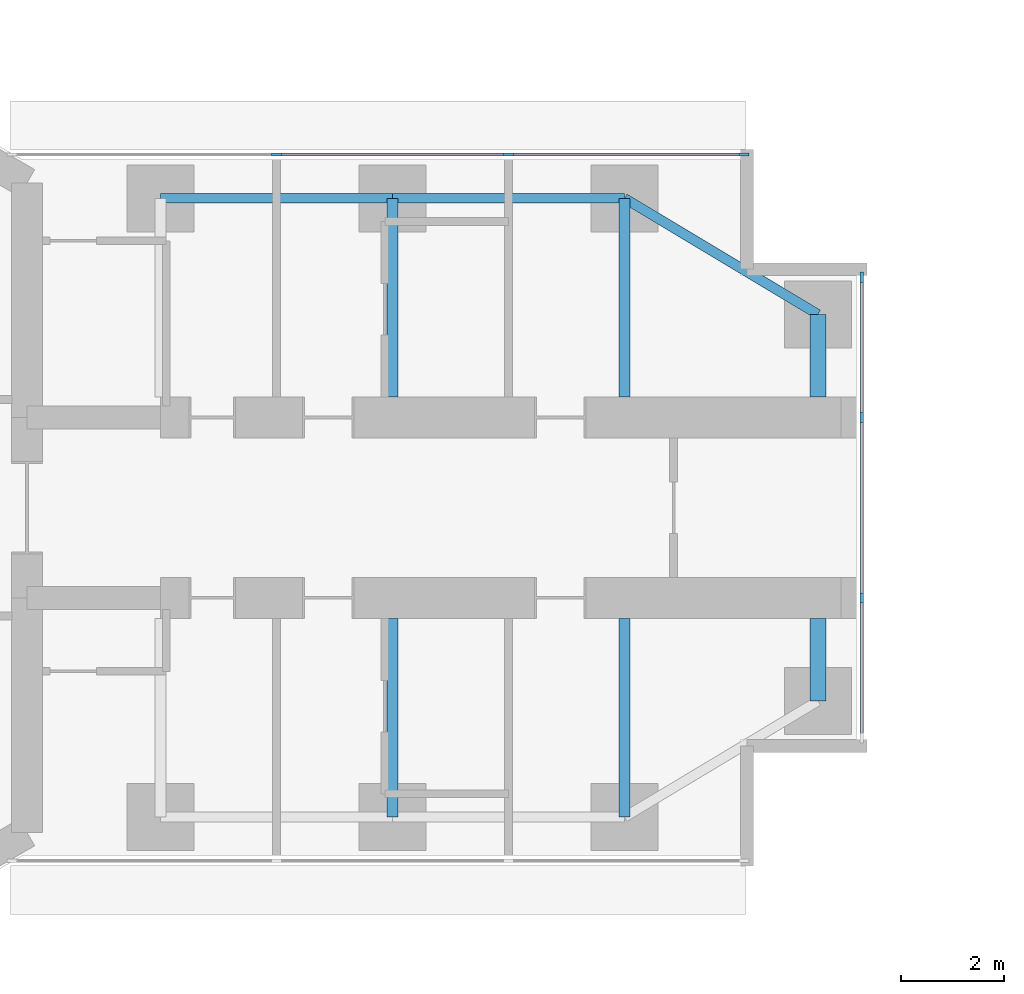
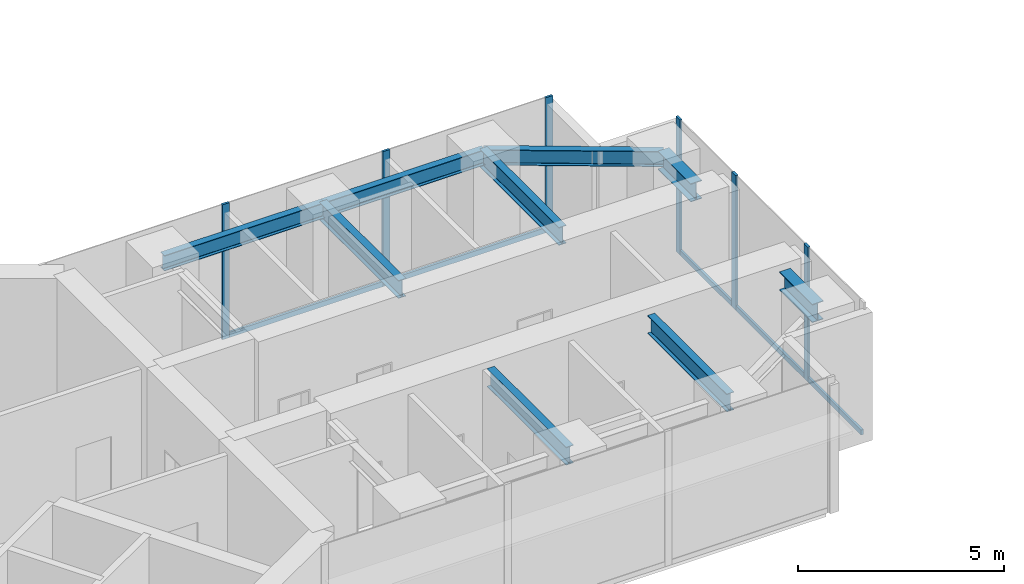
# One storey, part 7 of 22: 11 members, 9 beams, 2 elements without a shape of their own.
"""IFC4 building model written with IfcOpenShell, lengths in metres."""

from ifc_helpers import new_model, si_unit, direction, frame, origin, origin_2d, place, context, subcontext, project, spatial, rectangle, i_section, extrude, material, material_profile, profile_set, type_object, element, aggregate, save


model = new_model("IFC4")

# Units and contexts
model_context = context("Model", 3, precision=1e-05, world=origin(), true_north=direction((0.0, 1.0)))
body_context = subcontext(model_context, "Body", "Model", "MODEL_VIEW")
ifc_project = project(units=[si_unit("LENGTHUNIT", "METRE"), si_unit("AREAUNIT", "SQUARE_METRE"), si_unit("VOLUMEUNIT", "CUBIC_METRE"), si_unit("PLANEANGLEUNIT", "RADIAN"), si_unit("MASSUNIT", "GRAM", prefix="KILO")], contexts=[model_context])

# Site, building, storey
site_placement = place(None, origin())
site = spatial("IfcSite", under=ifc_project, at=site_placement, CompositionType="ELEMENT")
building_placement = place(site_placement, origin())
building = spatial("IfcBuilding", under=site, at=building_placement, Name="Upepo Twin Towers", CompositionType="ELEMENT")
storey_placement = place(building_placement, frame((0.0, 0.0, 141.5)))
storey = spatial("IfcBuildingStorey", under=building, at=storey_placement, Name="L34", CompositionType="ELEMENT", Elevation=141.5)

# Beams
ifc_material_1 = material(Name="Steel S355", Category="steel")
ifc_material_profile_1 = material_profile(ifc_material_1, i_section(OverallWidth=0.1904296875, OverallDepth=0.45703125, WebThickness=0.009033203125, FlangeThickness=0.014404296875, FilletRadius=0.01025390625, at=origin_2d()), Name="UB 457x191x74")
ifc_profile_set_1 = profile_set([ifc_material_profile_1], Name="Steel S355")
beam_type_1 = type_object("IfcBeamType", Name="Beam UB 457x191x74", PredefinedType="BEAM", material=ifc_profile_set_1)
for number, where, z_axis, x_axis, name in (
    (1, (13.5, 6.0, 3.571533203125), (1.0, 0.0, 0.0), (0.0, 1.0, 0.0), "T1 edge beam AL 13.5-18.0"),
    (2, (18.0, 6.0, 3.571533203125), (1.0, 0.0, 0.0), (0.0, 1.0, 0.0), "T1 edge beam AL 18.0-22.5"),
):
    element("IfcBeam", number, at=place(storey_placement, frame(where, z_axis=z_axis, x_axis=x_axis)), inside=storey, type_object=beam_type_1, Name=name, PredefinedType="BEAM", context=body_context, shape_type="SweptSolid", body=[
        extrude(i_section(OverallWidth=0.1904296875, OverallDepth=0.45703125, WebThickness=0.009033203125, FlangeThickness=0.014404296875, FilletRadius=0.01025390625, at=origin_2d()), origin(), (0.0, 0.0, 1.0), 4.5),
    ])
beam_placement = place(storey_placement, frame((22.5, 6.0, 3.571533203125), z_axis=(0.857492925713, -0.514495755428, 0.0), x_axis=(0.514495755428, 0.857492925713, 0.0)))
element("IfcBeam", 3, at=beam_placement, inside=storey, type_object=beam_type_1, Name="T1 nose edge beam AL", PredefinedType="BEAM", context=body_context, shape_type="SweptSolid", body=[
    extrude(i_section(OverallWidth=0.1904296875, OverallDepth=0.45703125, WebThickness=0.009033203125, FlangeThickness=0.014404296875, FilletRadius=0.01025390625, at=origin_2d()), origin(), (0.0, 0.0, 1.0), 4.373291015625),
])
ifc_material_2 = material(Name="Steel S355", Category="steel")
ifc_material_profile_2 = material_profile(ifc_material_2, i_section(OverallWidth=0.209228515625, OverallDepth=0.533203125, WebThickness=0.010009765625, FlangeThickness=0.015625, FilletRadius=0.0126953125, at=origin_2d()), Name="UB 533x210x92")
ifc_profile_set_2 = profile_set([ifc_material_profile_2], Name="Steel S355")
beam_type_2 = type_object("IfcBeamType", Name="Beam UB 533x210x92", PredefinedType="BEAM", material=ifc_profile_set_2)
for number, where, z_axis, x_axis, name in (
    (4, (18.0, 6.0, 3.533447265625), (0.0, -1.0, 0.0), (1.0, 0.0, 0.0), "T1 girder AL at 18.0"),
    (5, (22.5, 6.0, 3.533447265625), (0.0, -1.0, 0.0), (1.0, 0.0, 0.0), "T1 girder AL at 22.5"),
    (6, (18.0, -6.0, 3.533447265625), (0.0, 1.0, 0.0), (-1.0, 0.0, 0.0), "T1 girder AR at 18.0"),
    (7, (22.5, -6.0, 3.533447265625), (0.0, 1.0, 0.0), (-1.0, 0.0, 0.0), "T1 girder AR at 22.5"),
):
    element("IfcBeam", number, at=place(storey_placement, frame(where, z_axis=z_axis, x_axis=x_axis)), inside=storey, type_object=beam_type_2, Name=name, PredefinedType="BEAM", context=body_context, shape_type="SweptSolid", body=[
        extrude(i_section(OverallWidth=0.209228515625, OverallDepth=0.533203125, WebThickness=0.010009765625, FlangeThickness=0.015625, FilletRadius=0.0126953125, at=origin_2d()), origin(), (0.0, 0.0, 1.0), 3.85009765625),
    ])
ifc_material_3 = material(Name="Steel S355", Category="steel")
ifc_material_profile_3 = material_profile(ifc_material_3, i_section(OverallWidth=0.31201171875, OverallDepth=0.54345703125, WebThickness=0.0126953125, FlangeThickness=0.020263671875, FilletRadius=0.0126953125, at=origin_2d()), Name="UB 533x312x150")
ifc_profile_set_3 = profile_set([ifc_material_profile_3], Name="Steel S355")
beam_type_3 = type_object("IfcBeamType", Name="Beam UB 533x312x150", PredefinedType="BEAM", material=ifc_profile_set_3)
for number, where, z_axis, x_axis, name in (
    (8, (26.25, 3.75, 3.5283203125), (0.0, -1.0, 0.0), (1.0, 0.0, 0.0), "T1 nose beam AL"),
    (9, (26.25, -3.75, 3.5283203125), (0.0, 1.0, 0.0), (-1.0, 0.0, 0.0), "T1 nose beam AR"),
):
    element("IfcBeam", number, at=place(storey_placement, frame(where, z_axis=z_axis, x_axis=x_axis)), inside=storey, type_object=beam_type_3, Name=name, PredefinedType="BEAM", context=body_context, shape_type="SweptSolid", body=[
        extrude(i_section(OverallWidth=0.31201171875, OverallDepth=0.54345703125, WebThickness=0.0126953125, FlangeThickness=0.020263671875, FilletRadius=0.0126953125, at=origin_2d()), origin(), (0.0, 0.0, 1.0), 1.60009765625),
    ])

# Curtain wall, members
ifc_material_4 = material(Name="Aluminium and fritted glass", Category="aluminium")
curtain_wall_type = type_object("IfcCurtainWallType", Name="Tower curtain wall TW2, fritted glass", PredefinedType="NOTDEFINED", material=ifc_material_4)
curtain_wall_1_placement = place(storey_placement, origin())
curtain_wall_1 = element("IfcCurtainWall", 10, at=curtain_wall_1_placement, inside=storey, type_object=curtain_wall_type, Name="T1 L34 wing A flank L curtain wall", PredefinedType="NOTDEFINED")
ifc_material_5 = material(Name="Aluminium mullion", Category="aluminium")
ifc_material_profile_4 = material_profile(ifc_material_5, rectangle(XDim=0.06494140625, YDim=0.199951171875, at=origin_2d()), Name="MULLION 65x200")
ifc_profile_set_4 = profile_set([ifc_material_profile_4], Name="Aluminium mullion")
member_type_1 = type_object("IfcMemberType", Name="Mullion 65x200 TW2", PredefinedType="MULLION", material=ifc_profile_set_4)
member_1_placement = place(storey_placement, frame((15.75, 6.85009765625, 0.0), z_axis=(0.0, 0.0, 1.0), x_axis=(0.0, 1.0, 0.0)))
member_1 = element("IfcMember", 11, at=member_1_placement, type_object=member_type_1, Name="T1 L34 wing A flank L curtain wall mullion 2", PredefinedType="MULLION", context=body_context, shape_type="SweptSolid", body=[
    extrude(rectangle(XDim=0.06494140625, YDim=0.199951171875, at=origin_2d()), origin(), (0.0, 0.0, 1.0), 4.0),
])
member_2_placement = place(storey_placement, frame((20.25, 6.85009765625, 0.0), z_axis=(0.0, 0.0, 1.0), x_axis=(0.0, 1.0, 0.0)))
member_2 = element("IfcMember", 12, at=member_2_placement, type_object=member_type_1, Name="T1 L34 wing A flank L curtain wall mullion 3", PredefinedType="MULLION", context=body_context, shape_type="SweptSolid", body=[
    extrude(rectangle(XDim=0.06494140625, YDim=0.199951171875, at=origin_2d()), origin(), (0.0, 0.0, 1.0), 4.0),
])
member_3_placement = place(storey_placement, frame((24.8173828125, 6.85009765625, 0.0), z_axis=(0.0, 0.0, 1.0), x_axis=(0.0, 1.0, 0.0)))
member_3 = element("IfcMember", 13, at=member_3_placement, type_object=member_type_1, Name="T1 L34 wing A flank L curtain wall mullion 4", PredefinedType="MULLION", context=body_context, shape_type="SweptSolid", body=[
    extrude(rectangle(XDim=0.06494140625, YDim=0.199951171875, at=origin_2d()), origin(), (0.0, 0.0, 1.0), 4.0),
])

curtain_wall_2_placement = place(storey_placement, origin())
curtain_wall_2 = element("IfcCurtainWall", 14, at=curtain_wall_2_placement, inside=storey, type_object=curtain_wall_type, Name="T1 L34 wing A nose curtain wall", PredefinedType="NOTDEFINED")
member_4_placement = place(storey_placement, frame((27.10009765625, -1.75, 0.0), z_axis=(0.0, 0.0, 1.0), x_axis=(-1.0, 0.0, 0.0)))
member_4 = element("IfcMember", 15, at=member_4_placement, type_object=member_type_1, Name="T1 L34 wing A nose curtain wall mullion 2", PredefinedType="MULLION", context=body_context, shape_type="SweptSolid", body=[
    extrude(rectangle(XDim=0.06494140625, YDim=0.199951171875, at=origin_2d()), origin(), (0.0, 0.0, 1.0), 4.0),
])
member_5_placement = place(storey_placement, frame((27.10009765625, 1.75, 0.0), z_axis=(0.0, 0.0, 1.0), x_axis=(-1.0, 0.0, 0.0)))
member_5 = element("IfcMember", 16, at=member_5_placement, type_object=member_type_1, Name="T1 L34 wing A nose curtain wall mullion 3", PredefinedType="MULLION", context=body_context, shape_type="SweptSolid", body=[
    extrude(rectangle(XDim=0.06494140625, YDim=0.199951171875, at=origin_2d()), origin(), (0.0, 0.0, 1.0), 4.0),
])
member_6_placement = place(storey_placement, frame((27.10009765625, 4.467529296875, 0.0), z_axis=(0.0, 0.0, 1.0), x_axis=(-1.0, 0.0, 0.0)))
member_6 = element("IfcMember", 17, at=member_6_placement, type_object=member_type_1, Name="T1 L34 wing A nose curtain wall mullion 4", PredefinedType="MULLION", context=body_context, shape_type="SweptSolid", body=[
    extrude(rectangle(XDim=0.06494140625, YDim=0.199951171875, at=origin_2d()), origin(), (0.0, 0.0, 1.0), 4.0),
])

# Member
ifc_material_6 = material(Name="Aluminium transom", Category="aluminium")
ifc_material_profile_5 = material_profile(ifc_material_6, rectangle(XDim=0.06494140625, YDim=0.14990234375, at=origin_2d()), Name="TRANSOM 65x150")
ifc_profile_set_5 = profile_set([ifc_material_profile_5], Name="Aluminium transom")
member_type_2 = type_object("IfcMemberType", Name="Transom 65x150 TW2", PredefinedType="USERDEFINED", material=ifc_profile_set_5)
member_7_placement = place(storey_placement, frame((15.782470703125, 6.85009765625, 0.074951171875), z_axis=(1.0, 0.0, 0.0), x_axis=(0.0, 1.0, 0.0)))
member_7 = element("IfcMember", 18, at=member_7_placement, type_object=member_type_2, Name="T1 L34 wing A flank L curtain wall transom 2", ObjectType="TRANSOM", PredefinedType="USERDEFINED", context=body_context, shape_type="SweptSolid", body=[
    extrude(rectangle(XDim=0.06494140625, YDim=0.14990234375, at=origin_2d()), origin(), (0.0, 0.0, 1.0), 4.43505859375),
])

member_8_placement = place(storey_placement, frame((20.282470703125, 6.85009765625, 0.074951171875), z_axis=(1.0, 0.0, 0.0), x_axis=(0.0, 1.0, 0.0)))
member_8 = element("IfcMember", 19, at=member_8_placement, type_object=member_type_2, Name="T1 L34 wing A flank L curtain wall transom 3", ObjectType="TRANSOM", PredefinedType="USERDEFINED", context=body_context, shape_type="SweptSolid", body=[
    extrude(rectangle(XDim=0.06494140625, YDim=0.14990234375, at=origin_2d()), origin(), (0.0, 0.0, 1.0), 4.50244140625),
])

aggregate(curtain_wall_1, [member_1, member_2, member_3, member_7, member_8])

member_9_placement = place(storey_placement, frame((27.10009765625, -4.43505859375, 0.074951171875), z_axis=(0.0, 1.0, 0.0), x_axis=(-1.0, 0.0, 0.0)))
member_9 = element("IfcMember", 20, at=member_9_placement, type_object=member_type_2, Name="T1 L34 wing A nose curtain wall transom 1", ObjectType="TRANSOM", PredefinedType="USERDEFINED", context=body_context, shape_type="SweptSolid", body=[
    extrude(rectangle(XDim=0.06494140625, YDim=0.14990234375, at=origin_2d()), origin(), (0.0, 0.0, 1.0), 2.652587890625),
])

member_10_placement = place(storey_placement, frame((27.10009765625, -1.717529296875, 0.074951171875), z_axis=(0.0, 1.0, 0.0), x_axis=(-1.0, 0.0, 0.0)))
member_10 = element("IfcMember", 21, at=member_10_placement, type_object=member_type_2, Name="T1 L34 wing A nose curtain wall transom 2", ObjectType="TRANSOM", PredefinedType="USERDEFINED", context=body_context, shape_type="SweptSolid", body=[
    extrude(rectangle(XDim=0.06494140625, YDim=0.14990234375, at=origin_2d()), origin(), (0.0, 0.0, 1.0), 3.43505859375),
])

member_11_placement = place(storey_placement, frame((27.10009765625, 1.782470703125, 0.074951171875), z_axis=(0.0, 1.0, 0.0), x_axis=(-1.0, 0.0, 0.0)))
member_11 = element("IfcMember", 22, at=member_11_placement, type_object=member_type_2, Name="T1 L34 wing A nose curtain wall transom 3", ObjectType="TRANSOM", PredefinedType="USERDEFINED", context=body_context, shape_type="SweptSolid", body=[
    extrude(rectangle(XDim=0.06494140625, YDim=0.14990234375, at=origin_2d()), origin(), (0.0, 0.0, 1.0), 2.652587890625),
])

aggregate(curtain_wall_2, [member_4, member_5, member_6, member_9, member_10, member_11])

save(model, "model.ifc")
